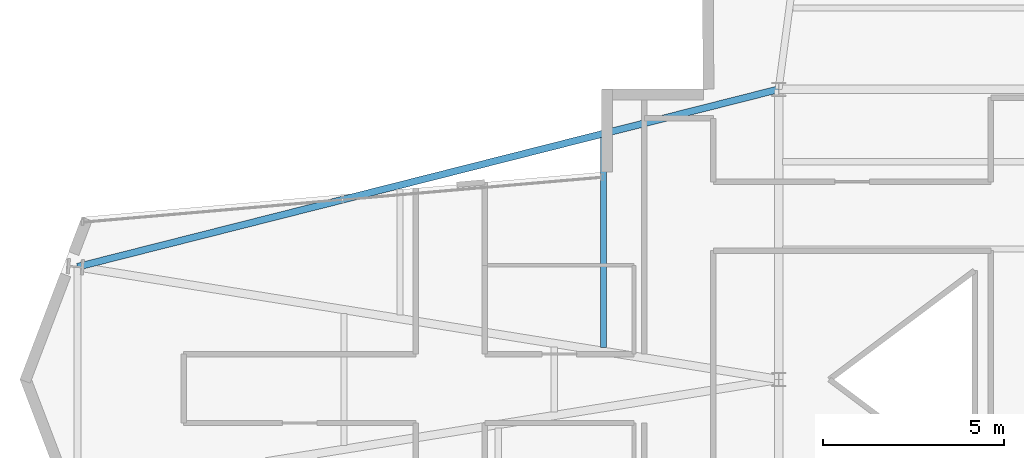
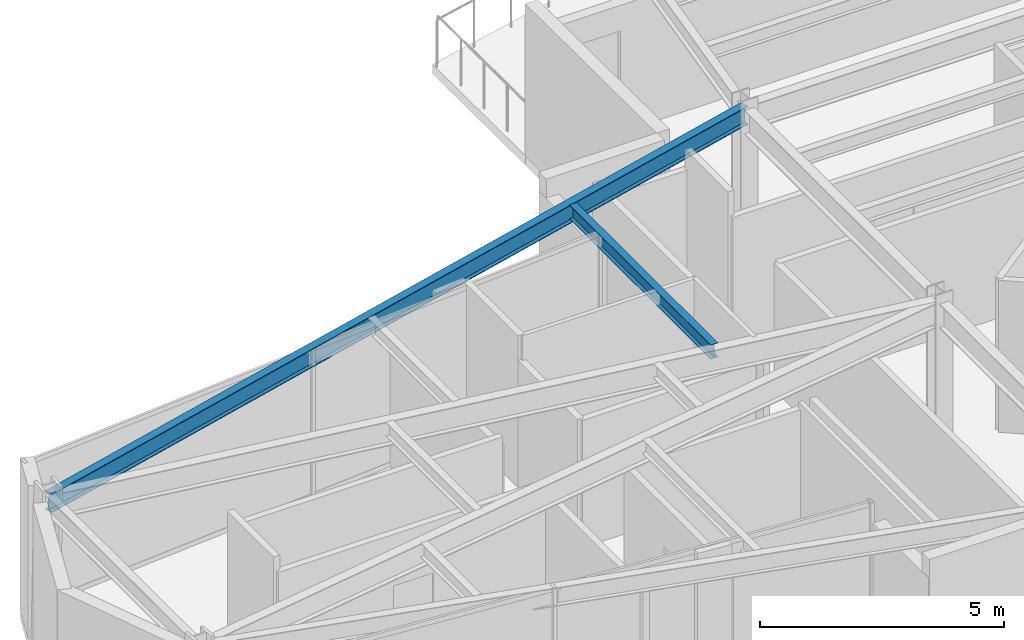
# One storey, part 10 of 23: 2 beams.
"""IFC4 building model written with IfcOpenShell, lengths in metres."""

import ifcopenshell
import ifcopenshell.guid

model = None  # the IFC model being written
_history = None  # IfcOwnerHistory: only IFC2X3 demands one
_inside = {}  # id of a spatial element -> (the spatial element, [elements in it])
_under = {}  # id of a project, library or spatial element -> (it, [spatial elements below it])
_declared = {}  # id of a project -> (the project, [libraries it declares])
_typed = {}  # id of a type object -> (the type object, [elements of that type])
_made_of = {}  # id of a material, layer set ... -> (it, [elements and type objects made of it])


def new_model(schema):
    """Start an empty IFC model of exactly this schema.

    Asked for "IFC4X3", IfcOpenShell would pick the latest addendum, in which some entities
    have other attributes; the version numbers below select the first issue.
    IFC2X3 requires an IfcOwnerHistory on every rooted entity: one is made here for all.
    """
    global model, _history
    if schema == "IFC4X3":
        model = ifcopenshell.file(schema_version=(4, 3, 0, 0))
    else:
        model = ifcopenshell.file(schema=schema)
    _inside.clear()
    _under.clear()
    _declared.clear()
    _typed.clear()
    _made_of.clear()
    _history = None
    if model.schema == "IFC2X3":
        org = make("IfcOrganization", Name="unknown")
        user = make(
            "IfcPersonAndOrganization",
            ThePerson=make("IfcPerson", FamilyName="unknown"),
            TheOrganization=org,
        )
        app = make(
            "IfcApplication",
            ApplicationDeveloper=org,
            Version="unknown",
            ApplicationFullName="unknown",
            ApplicationIdentifier="unknown",
        )
        _history = make(
            "IfcOwnerHistory",
            OwningUser=user,
            OwningApplication=app,
            ChangeAction="ADDED",
            CreationDate=0,
        )
    return model


def make(cls, **values):
    """One entity of the class cls with the attributes given. An attribute that is None is left unset."""
    return model.create_entity(
        cls, **{name: value for name, value in values.items() if value is not None}
    )


def rooted(cls, **values):
    """An entity with a GlobalId (a new one), such as an element, a storey or a relation."""
    return make(cls, GlobalId=ifcopenshell.guid.new(), OwnerHistory=_history, **values)


def si_unit(unit_type, name, prefix=None):
    """IfcSIUnit, for example si_unit("LENGTHUNIT", "METRE", prefix="MILLI")."""
    return make("IfcSIUnit", UnitType=unit_type, Prefix=prefix, Name=name)


def assignment(units):
    """IfcUnitAssignment: the units of a project."""
    return None if units is None else make("IfcUnitAssignment", Units=units)


def point(xyz):
    """IfcCartesianPoint."""
    return None if xyz is None else make("IfcCartesianPoint", Coordinates=xyz)


def direction(xyz):
    """IfcDirection."""
    return None if xyz is None else make("IfcDirection", DirectionRatios=xyz)


def frame(location, z_axis=None, x_axis=None):
    """IfcAxis2Placement3D, a coordinate frame: its origin and axes. An axis left out is left unset."""
    return make(
        "IfcAxis2Placement3D",
        Location=point(location),
        Axis=direction(z_axis),
        RefDirection=direction(x_axis),
    )


def frame_2d(location, x_axis=None):
    """IfcAxis2Placement2D, a coordinate frame in the plane: its origin and x axis."""
    return make(
        "IfcAxis2Placement2D", Location=point(location), RefDirection=direction(x_axis)
    )


def origin():
    """The frame at (0, 0, 0) with its axes left unset."""
    return frame((0.0, 0.0, 0.0))


def origin_2d():
    """The frame at (0, 0) in the plane with its x axis left unset."""
    return frame_2d((0.0, 0.0))


def place(relative_to, where):
    """IfcLocalPlacement: puts the frame where relative to a parent placement (None: the world)."""
    return make(
        "IfcLocalPlacement", PlacementRelTo=relative_to, RelativePlacement=where
    )


def context(
    kind, dimensions, precision=None, world=None, true_north=None, identifier=None
):
    """IfcGeometricRepresentationContext, for example the 3D "Model" context."""
    return make(
        "IfcGeometricRepresentationContext",
        ContextIdentifier=identifier,
        ContextType=kind,
        CoordinateSpaceDimension=dimensions,
        Precision=precision,
        WorldCoordinateSystem=world,
        TrueNorth=true_north,
    )


def subcontext(parent, identifier, kind, view, scale=None):
    """IfcGeometricRepresentationSubContext, for example "Body" below "Model"."""
    return make(
        "IfcGeometricRepresentationSubContext",
        ContextIdentifier=identifier,
        ContextType=kind,
        ParentContext=parent,
        TargetScale=scale,
        TargetView=view,
    )


def project(units=None, contexts=None):
    """IfcProject with its units and contexts."""
    return rooted(
        "IfcProject",
        Name="project",
        RepresentationContexts=contexts,
        UnitsInContext=assignment(units),
    )


def spatial(cls, under=None, at=None, **own):
    """A site, building, storey or space (cls), placed at a placement, below another one or the project."""
    s = rooted(cls, ObjectPlacement=at, **own)
    if under is not None:
        _under.setdefault(under.id(), (under, []))[1].append(s)
    return s


def profile(cls, at=None, kind="AREA", **sizes):
    """A parametric profile (cls). Its sizes go by their IFC names, for example OverallWidth=200.0."""
    return make(cls, ProfileType=kind, Position=at, **sizes)


def i_section(**sizes):
    """IfcIShapeProfileDef."""
    return profile("IfcIShapeProfileDef", **sizes)


def extrude(swept, where, along, depth):
    """IfcExtrudedAreaSolid: the profile swept, set in the frame where, extruded along a direction by depth."""
    return make(
        "IfcExtrudedAreaSolid",
        SweptArea=swept,
        Position=where,
        ExtrudedDirection=direction(along),
        Depth=depth,
    )


def shape(context_of_items, identifier, shape_type, items):
    """IfcShapeRepresentation: the items that make up one representation, for example the "Body"."""
    return make(
        "IfcShapeRepresentation",
        ContextOfItems=context_of_items,
        RepresentationIdentifier=identifier,
        RepresentationType=shape_type,
        Items=items,
    )


def material(Name=None, Category=None):
    """IfcMaterial."""
    return make("IfcMaterial", Name=Name, Category=Category)


def material_profile(
    of_material, cross_section, Name=None, Category=None, Priority=None
):
    """IfcMaterialProfile: a cross section and its material."""
    return make(
        "IfcMaterialProfile",
        Name=Name,
        Material=of_material,
        Profile=cross_section,
        Priority=Priority,
        Category=Category,
    )


def profile_set(profiles, Name=None, composite=None):
    """IfcMaterialProfileSet."""
    return make(
        "IfcMaterialProfileSet",
        Name=Name,
        MaterialProfiles=profiles,
        CompositeProfile=composite,
    )


def made_of(thing, what):
    """Note that an element or type object is made of a material, layer set ...; save() writes the relation."""
    if what is not None:
        _made_of.setdefault(what.id(), (what, []))[1].append(thing)
    return thing


def type_object(cls, material=None, **own):
    """A type object (cls), such as IfcWallType, which elements share."""
    return made_of(rooted(cls, **own), material)


def element(
    cls,
    number,
    at=None,
    inside=None,
    cuts=None,
    type_object=None,
    material=None,
    context=None,
    identifier="Body",
    shape_type=None,
    held_by="IfcProductDefinitionShape",
    body=None,
    shapes=None,
    **own,
):
    """One element of the class cls, such as IfcWall. Its Tag is "e" and its number.

    at: its placement. inside: the storey or other place that contains it. cuts: it is an
    opening in that element (IfcRelVoidsElement). A single representation is given by context,
    identifier, shape_type and body (its items); several are given by shapes. held_by: the class
    of the entity that holds the representations. save() writes the other relations.
    """
    e = rooted(cls, Tag="e%d" % number, ObjectPlacement=at, **own)
    if body is not None:
        shapes = [shape(context, identifier, shape_type, body)]
    if shapes is not None:
        e.Representation = make(held_by, Representations=shapes)
    if inside is not None:
        _inside.setdefault(inside.id(), (inside, []))[1].append(e)
    if cuts is not None:
        rooted(
            "IfcRelVoidsElement", RelatingBuildingElement=cuts, RelatedOpeningElement=e
        )
    if type_object is not None:
        _typed.setdefault(type_object.id(), (type_object, []))[1].append(e)
    return made_of(e, material)


def aggregate(whole, parts):
    """IfcRelAggregates: a whole, such as a stair, and the parts it consists of."""
    return rooted("IfcRelAggregates", RelatingObject=whole, RelatedObjects=parts)


def save(model, path):
    """Write the relations noted so far, then the file.

    IfcRelAggregates (storeys below a building ...), IfcRelContainedInSpatialStructure (elements
    in a storey), IfcRelDefinesByType, IfcRelAssociatesMaterial and IfcRelDeclares: one each for
    every whole, place, type object, material and project.
    """
    for whole, parts in _under.values():
        aggregate(whole, parts)
    for where, things in _inside.values():
        rooted(
            "IfcRelContainedInSpatialStructure",
            RelatedElements=things,
            RelatingStructure=where,
        )
    for kind, things in _typed.values():
        rooted("IfcRelDefinesByType", RelatedObjects=things, RelatingType=kind)
    for what, things in _made_of.values():
        rooted("IfcRelAssociatesMaterial", RelatedObjects=things, RelatingMaterial=what)
    for by, libraries in _declared.values():
        rooted("IfcRelDeclares", RelatingContext=by, RelatedDefinitions=libraries)
    model.write(path)


model = new_model("IFC4")

# Units and contexts
model_context = context("Model", 3, precision=1e-05, world=origin(), true_north=direction((0.0, 1.0)))
body_context = subcontext(model_context, "Body", "Model", "MODEL_VIEW")
ifc_project = project(units=[si_unit("LENGTHUNIT", "METRE"), si_unit("AREAUNIT", "SQUARE_METRE"), si_unit("VOLUMEUNIT", "CUBIC_METRE"), si_unit("PLANEANGLEUNIT", "RADIAN"), si_unit("MASSUNIT", "GRAM", prefix="KILO")], contexts=[model_context])

# Site, building, storey
site_placement = place(None, origin())
site = spatial("IfcSite", under=ifc_project, at=site_placement, CompositionType="ELEMENT")
building_placement = place(site_placement, origin())
building = spatial("IfcBuilding", under=site, at=building_placement, Name="Veymaron Broadcast Tower", CompositionType="ELEMENT")
storey_placement = place(building_placement, frame((0.0, 0.0, 161.39990234375)))
storey = spatial("IfcBuildingStorey", under=building, at=storey_placement, Name="L37", CompositionType="ELEMENT", Elevation=161.39990234375)

# Beams
ifc_material = material(Name="Structural steel ASTM A992 Gr 50", Category="steel")
ifc_material_profile_1 = material_profile(ifc_material, i_section(OverallWidth=0.1708984375, OverallDepth=0.35498046875, WebThickness=0.007080078125, FlangeThickness=0.01171875, at=origin_2d()), Name="W360X51")
ifc_profile_set_1 = profile_set([ifc_material_profile_1], Name="Structural steel ASTM A992 Gr 50")
beam_type_1 = type_object("IfcBeamType", Name="BM-JS2", PredefinedType="JOIST", material=ifc_profile_set_1)
beam_1_placement = place(storey_placement, frame((26.367919921875, 24.876220703125, 3.632568359375), z_axis=(0.0, 1.0, 0.0), x_axis=(-1.0, 0.0, 0.0)))
element("IfcBeam", 1, at=beam_1_placement, inside=storey, type_object=beam_type_1, Name="L37 Arm-A secondary joist 2N", PredefinedType="JOIST", context=body_context, shape_type="SweptSolid", body=[
    extrude(i_section(OverallWidth=0.1708984375, OverallDepth=0.35498046875, WebThickness=0.007080078125, FlangeThickness=0.01171875, at=origin_2d()), origin(), (0.0, 0.0, 1.0), 5.800048828125),
])
ifc_material_profile_2 = material_profile(ifc_material, i_section(OverallWidth=0.19091796875, OverallDepth=0.4599609375, WebThickness=0.010009765625, FlangeThickness=0.01611328125, at=origin_2d()), Name="W460X82")
ifc_profile_set_2 = profile_set([ifc_material_profile_2], Name="Structural steel ASTM A992 Gr 50")
beam_type_2 = type_object("IfcBeamType", Name="BM-SP1", PredefinedType="SPANDREL", material=ifc_profile_set_2)
beam_2_placement = place(storey_placement, frame((11.87109375, 27.10498046875, 3.580078125), z_axis=(0.969396827712, 0.245499063996, 0.0), x_axis=(-0.245499063996, 0.969396827712, 0.0)))
element("IfcBeam", 2, at=beam_2_placement, inside=storey, type_object=beam_type_2, Name="L37 primary structural floor girder", PredefinedType="SPANDREL", context=body_context, shape_type="SweptSolid", body=[
    extrude(i_section(OverallWidth=0.19091796875, OverallDepth=0.4599609375, WebThickness=0.010009765625, FlangeThickness=0.01611328125, at=origin_2d()), origin(), (0.0, 0.0, 1.0), 19.93896484375),
])

save(model, "model.ifc")
